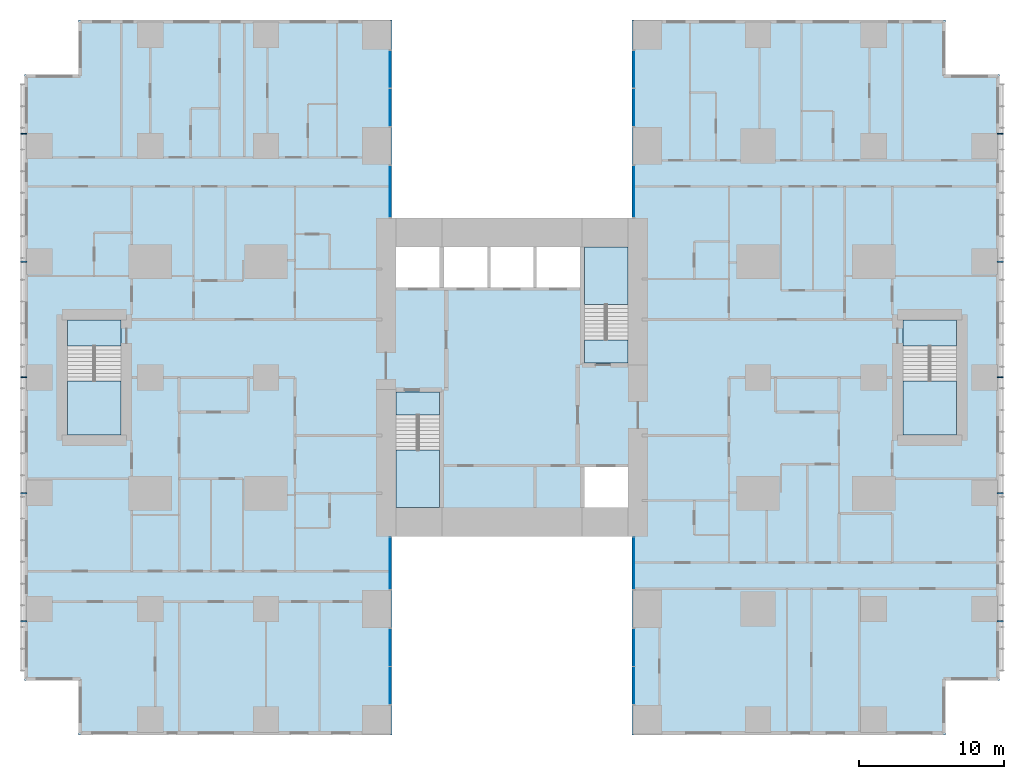
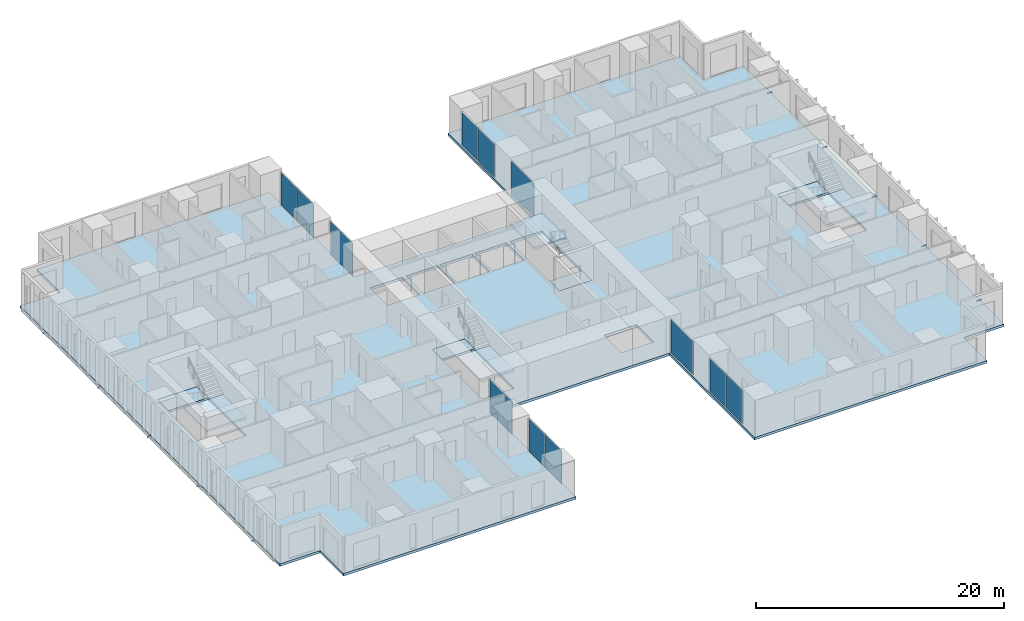
# One storey, part 7 of 20: 12 plates, 10 members, 9 slabs, 12 elements without a shape of their own.
"""IFC4 building model written with IfcOpenShell, lengths in metres."""

from ifc_helpers import new_model, si_unit, direction, frame, origin, origin_2d, place, context, subcontext, project, spatial, polyline, rectangle, hollow_rectangle, outline, extrude, material, layer, layer_set, material_profile, profile_set, type_object, element, aggregate, save


model = new_model("IFC4")

# Units and contexts
model_context = context("Model", 3, precision=1e-05, world=origin(), true_north=direction((0.0, 1.0)))
body_context = subcontext(model_context, "Body", "Model", "MODEL_VIEW")
ifc_project = project(units=[si_unit("LENGTHUNIT", "METRE"), si_unit("AREAUNIT", "SQUARE_METRE"), si_unit("VOLUMEUNIT", "CUBIC_METRE"), si_unit("PLANEANGLEUNIT", "RADIAN"), si_unit("MASSUNIT", "GRAM", prefix="KILO")], contexts=[model_context])

# Site, building, storey
site_placement = place(None, origin())
site = spatial("IfcSite", under=ifc_project, at=site_placement, CompositionType="ELEMENT")
building_placement = place(site_placement, origin())
building = spatial("IfcBuilding", under=site, at=building_placement, Name="Cleftline Residences", CompositionType="ELEMENT")
storey_placement = place(building_placement, frame((0.0, 0.0, 203.800048828125)))
storey = spatial("IfcBuildingStorey", under=building, at=storey_placement, Name="L53", CompositionType="ELEMENT", Elevation=203.800048828125)

# Members
ifc_material_1 = material(Name="Steel S355, hot-dip galvanised", Category="steel")
ifc_material_profile = material_profile(ifc_material_1, hollow_rectangle(XDim=0.10009765625, YDim=0.10009765625, WallThickness=0.008056640625, InnerFilletRadius=0.008056640625, OuterFilletRadius=0.011962890625, at=origin_2d()))
ifc_profile_set = profile_set([ifc_material_profile], Name="Steel S355, hot-dip galvanised")
member_type = type_object("IfcMemberType", Name="BAGUETTE BRACKET SHS 100X100X8", PredefinedType="USERDEFINED", material=ifc_profile_set)
for number, where, z_axis, x_axis, name in (
    (1, (66.5, 7.14990234375, -0.150146484375), (1.0, 0.0, 0.0), (0.0, 1.0, 0.0), "Baguette bracket"),
    (2, (66.5, 16.0, -0.150146484375), (1.0, 0.0, 0.0), (0.0, 1.0, 0.0), "Baguette bracket"),
    (3, (66.5, 24.0, -0.150146484375), (1.0, 0.0, 0.0), (0.0, 1.0, 0.0), "Baguette bracket"),
    (4, (66.5, 32.0, -0.150146484375), (1.0, 0.0, 0.0), (0.0, 1.0, 0.0), "Baguette bracket"),
    (5, (66.5, 40.85009765625, -0.150146484375), (1.0, 0.0, 0.0), (0.0, 1.0, 0.0), "Baguette bracket"),
    (6, (-0.5, 40.85009765625, -0.150146484375), (-1.0, 0.0, 0.0), (0.0, -1.0, 0.0), "Baguette bracket"),
    (7, (-0.5, 32.0, -0.150146484375), (-1.0, 0.0, 0.0), (0.0, -1.0, 0.0), "Baguette bracket"),
    (8, (-0.5, 24.0, -0.150146484375), (-1.0, 0.0, 0.0), (0.0, -1.0, 0.0), "Baguette bracket"),
    (9, (-0.5, 16.0, -0.150146484375), (-1.0, 0.0, 0.0), (0.0, -1.0, 0.0), "Baguette bracket"),
    (10, (-0.5, 7.14990234375, -0.150146484375), (-1.0, 0.0, 0.0), (0.0, -1.0, 0.0), "Baguette bracket"),
):
    element("IfcMember", number, at=place(storey_placement, frame(where, z_axis=z_axis, x_axis=x_axis)), inside=storey, type_object=member_type, Name=name, ObjectType="BAGUETTE BRACKET", PredefinedType="USERDEFINED", context=body_context, shape_type="SweptSolid", body=[
        extrude(hollow_rectangle(XDim=0.10009765625, YDim=0.10009765625, WallThickness=0.008056640625, InnerFilletRadius=0.008056640625, OuterFilletRadius=0.011962890625, at=origin_2d()), origin(), (0.0, 0.0, 1.0), 0.449951171875),
    ])

# Curtain wall, plates
ifc_material_2 = material(Name="Aluminium framed curtain wall", Category="aluminium")
ifc_layer_1 = layer(ifc_material_2, 0.199951171875)
ifc_layer_set_1 = layer_set([ifc_layer_1], Name="CW1 CLEFT GLAZING")
curtain_wall_type = type_object("IfcCurtainWallType", Name="CW1 CLEFT GLAZING", PredefinedType="NOTDEFINED", material=ifc_layer_set_1)
curtain_wall_1_placement = place(storey_placement, origin())
curtain_wall_1 = element("IfcCurtainWall", 11, at=curtain_wall_1_placement, inside=storey, type_object=curtain_wall_type, Name="Curtain wall CW1", PredefinedType="NOTDEFINED")
ifc_material_3 = material(Name="Laminated clear glass", Category="glass")
ifc_layer_2 = layer(ifc_material_3, 0.028076171875)
ifc_layer_set_2 = layer_set([ifc_layer_2], Name="CW1 GLASS PANEL")
plate_type = type_object("IfcPlateType", Name="CW1 GLASS PANEL", PredefinedType="CURTAIN_PANEL", material=ifc_layer_set_2)
plate_1_placement = place(storey_placement, frame((24.574951171875, 2.702392578125, 0.06005859375), z_axis=(0.0, 0.0, 1.0), x_axis=(0.0, 1.0, 0.0)))
plate_1 = element("IfcPlate", 12, at=plate_1_placement, type_object=plate_type, Name="CW1 panel 1.1", PredefinedType="CURTAIN_PANEL", context=body_context, shape_type="SweptSolid", body=[
    extrude(rectangle(XDim=2.5849609375, YDim=0.028076171875, at=origin_2d()), origin(), (0.0, 0.0, 1.0), 3.22998046875),
])
plate_2_placement = place(storey_placement, frame((24.574951171875, 5.347412109375, 0.06005859375), z_axis=(0.0, 0.0, 1.0), x_axis=(0.0, 1.0, 0.0)))
plate_2 = element("IfcPlate", 13, at=plate_2_placement, type_object=plate_type, Name="CW1 panel 2.1", PredefinedType="CURTAIN_PANEL", context=body_context, shape_type="SweptSolid", body=[
    extrude(rectangle(XDim=2.5849609375, YDim=0.028076171875, at=origin_2d()), origin(), (0.0, 0.0, 1.0), 3.22998046875),
])
aggregate(curtain_wall_1, [plate_1, plate_2])

# Curtain wall, plate
curtain_wall_2_placement = place(storey_placement, origin())
curtain_wall_2 = element("IfcCurtainWall", 14, at=curtain_wall_2_placement, inside=storey, type_object=curtain_wall_type, Name="Curtain wall CW1", PredefinedType="NOTDEFINED")
plate_3_placement = place(storey_placement, frame((24.574951171875, 11.14990234375, 0.06005859375), z_axis=(0.0, 0.0, 1.0), x_axis=(0.0, 1.0, 0.0)))
plate_3 = element("IfcPlate", 15, at=plate_3_placement, type_object=plate_type, Name="CW1 panel 1.1", PredefinedType="CURTAIN_PANEL", context=body_context, shape_type="SweptSolid", body=[
    extrude(rectangle(XDim=3.580078125, YDim=0.028076171875, at=origin_2d()), origin(), (0.0, 0.0, 1.0), 3.22998046875),
])
aggregate(curtain_wall_2, [plate_3])

curtain_wall_3_placement = place(storey_placement, origin())
curtain_wall_3 = element("IfcCurtainWall", 16, at=curtain_wall_3_placement, inside=storey, type_object=curtain_wall_type, Name="Curtain wall CW1", PredefinedType="NOTDEFINED")
plate_4_placement = place(storey_placement, frame((41.425048828125, 11.14990234375, 0.06005859375), z_axis=(0.0, 0.0, 1.0), x_axis=(0.0, -1.0, 0.0)))
plate_4 = element("IfcPlate", 17, at=plate_4_placement, type_object=plate_type, Name="CW1 panel 1.1", PredefinedType="CURTAIN_PANEL", context=body_context, shape_type="SweptSolid", body=[
    extrude(rectangle(XDim=3.580078125, YDim=0.028076171875, at=origin_2d()), origin(), (0.0, 0.0, 1.0), 3.22998046875),
])
aggregate(curtain_wall_3, [plate_4])

# Curtain wall, plates
curtain_wall_4_placement = place(storey_placement, origin())
curtain_wall_4 = element("IfcCurtainWall", 18, at=curtain_wall_4_placement, inside=storey, type_object=curtain_wall_type, Name="Curtain wall CW1", PredefinedType="NOTDEFINED")
plate_5_placement = place(storey_placement, frame((41.425048828125, 5.347412109375, 0.06005859375), z_axis=(0.0, 0.0, 1.0), x_axis=(0.0, -1.0, 0.0)))
plate_5 = element("IfcPlate", 19, at=plate_5_placement, type_object=plate_type, Name="CW1 panel 1.1", PredefinedType="CURTAIN_PANEL", context=body_context, shape_type="SweptSolid", body=[
    extrude(rectangle(XDim=2.5849609375, YDim=0.028076171875, at=origin_2d()), origin(), (0.0, 0.0, 1.0), 3.22998046875),
])
plate_6_placement = place(storey_placement, frame((41.425048828125, 2.702392578125, 0.06005859375), z_axis=(0.0, 0.0, 1.0), x_axis=(0.0, -1.0, 0.0)))
plate_6 = element("IfcPlate", 20, at=plate_6_placement, type_object=plate_type, Name="CW1 panel 2.1", PredefinedType="CURTAIN_PANEL", context=body_context, shape_type="SweptSolid", body=[
    extrude(rectangle(XDim=2.5849609375, YDim=0.028076171875, at=origin_2d()), origin(), (0.0, 0.0, 1.0), 3.22998046875),
])
aggregate(curtain_wall_4, [plate_5, plate_6])

curtain_wall_5_placement = place(storey_placement, origin())
curtain_wall_5 = element("IfcCurtainWall", 21, at=curtain_wall_5_placement, inside=storey, type_object=curtain_wall_type, Name="Curtain wall CW1", PredefinedType="NOTDEFINED")
plate_7_placement = place(storey_placement, frame((41.425048828125, 45.297607421875, 0.06005859375), z_axis=(0.0, 0.0, 1.0), x_axis=(0.0, -1.0, 0.0)))
plate_7 = element("IfcPlate", 22, at=plate_7_placement, type_object=plate_type, Name="CW1 panel 1.1", PredefinedType="CURTAIN_PANEL", context=body_context, shape_type="SweptSolid", body=[
    extrude(rectangle(XDim=2.5849609375, YDim=0.028076171875, at=origin_2d()), origin(), (0.0, 0.0, 1.0), 3.22998046875),
])
plate_8_placement = place(storey_placement, frame((41.425048828125, 42.652587890625, 0.06005859375), z_axis=(0.0, 0.0, 1.0), x_axis=(0.0, -1.0, 0.0)))
plate_8 = element("IfcPlate", 23, at=plate_8_placement, type_object=plate_type, Name="CW1 panel 2.1", PredefinedType="CURTAIN_PANEL", context=body_context, shape_type="SweptSolid", body=[
    extrude(rectangle(XDim=2.5849609375, YDim=0.028076171875, at=origin_2d()), origin(), (0.0, 0.0, 1.0), 3.22998046875),
])
aggregate(curtain_wall_5, [plate_7, plate_8])

# Curtain wall, plate
curtain_wall_6_placement = place(storey_placement, origin())
curtain_wall_6 = element("IfcCurtainWall", 24, at=curtain_wall_6_placement, inside=storey, type_object=curtain_wall_type, Name="Curtain wall CW1", PredefinedType="NOTDEFINED")
plate_9_placement = place(storey_placement, frame((41.425048828125, 36.85009765625, 0.06005859375), z_axis=(0.0, 0.0, 1.0), x_axis=(0.0, -1.0, 0.0)))
plate_9 = element("IfcPlate", 25, at=plate_9_placement, type_object=plate_type, Name="CW1 panel 1.1", PredefinedType="CURTAIN_PANEL", context=body_context, shape_type="SweptSolid", body=[
    extrude(rectangle(XDim=3.580078125, YDim=0.028076171875, at=origin_2d()), origin(), (0.0, 0.0, 1.0), 3.22998046875),
])
aggregate(curtain_wall_6, [plate_9])

curtain_wall_7_placement = place(storey_placement, origin())
curtain_wall_7 = element("IfcCurtainWall", 26, at=curtain_wall_7_placement, inside=storey, type_object=curtain_wall_type, Name="Curtain wall CW1", PredefinedType="NOTDEFINED")
plate_10_placement = place(storey_placement, frame((24.574951171875, 36.85009765625, 0.06005859375), z_axis=(0.0, 0.0, 1.0), x_axis=(0.0, 1.0, 0.0)))
plate_10 = element("IfcPlate", 27, at=plate_10_placement, type_object=plate_type, Name="CW1 panel 1.1", PredefinedType="CURTAIN_PANEL", context=body_context, shape_type="SweptSolid", body=[
    extrude(rectangle(XDim=3.580078125, YDim=0.028076171875, at=origin_2d()), origin(), (0.0, 0.0, 1.0), 3.22998046875),
])
aggregate(curtain_wall_7, [plate_10])

# Curtain wall, plates
curtain_wall_8_placement = place(storey_placement, origin())
curtain_wall_8 = element("IfcCurtainWall", 28, at=curtain_wall_8_placement, inside=storey, type_object=curtain_wall_type, Name="Curtain wall CW1", PredefinedType="NOTDEFINED")
plate_11_placement = place(storey_placement, frame((24.574951171875, 42.652587890625, 0.06005859375), z_axis=(0.0, 0.0, 1.0), x_axis=(0.0, 1.0, 0.0)))
plate_11 = element("IfcPlate", 29, at=plate_11_placement, type_object=plate_type, Name="CW1 panel 1.1", PredefinedType="CURTAIN_PANEL", context=body_context, shape_type="SweptSolid", body=[
    extrude(rectangle(XDim=2.5849609375, YDim=0.028076171875, at=origin_2d()), origin(), (0.0, 0.0, 1.0), 3.22998046875),
])
plate_12_placement = place(storey_placement, frame((24.574951171875, 45.297607421875, 0.06005859375), z_axis=(0.0, 0.0, 1.0), x_axis=(0.0, 1.0, 0.0)))
plate_12 = element("IfcPlate", 30, at=plate_12_placement, type_object=plate_type, Name="CW1 panel 2.1", PredefinedType="CURTAIN_PANEL", context=body_context, shape_type="SweptSolid", body=[
    extrude(rectangle(XDim=2.5849609375, YDim=0.028076171875, at=origin_2d()), origin(), (0.0, 0.0, 1.0), 3.22998046875),
])
aggregate(curtain_wall_8, [plate_11, plate_12])

# Slab
ifc_material_4 = material(Name="Concrete B45", Category="concrete")
ifc_layer_3 = layer(ifc_material_4, 0.25)
ifc_layer_set_3 = layer_set([ifc_layer_3], Name="FLOOR SLAB 250")
slab_type_1 = type_object("IfcSlabType", Name="FLOOR SLAB 250", PredefinedType="FLOOR", material=ifc_layer_set_3)
slab_1_placement = place(storey_placement, frame((0.0, 0.0, -0.25)))
element("IfcSlab", 31, at=slab_1_placement, inside=storey, type_object=slab_type_1, Name="Floor slab L53", PredefinedType="FLOOR", context=body_context, shape_type="SweptSolid", body=[
    extrude(outline(polyline([(24.699951171875, 13.0), (41.300048828125, 13.0), (41.300048828125, -0.699951171875), (62.949951171875, -0.699951171875), (62.949951171875, 3.050048828125), (66.699951171875, 3.050048828125), (66.699951171875, 44.949951171875), (62.949951171875, 44.949951171875), (62.949951171875, 48.699951171875), (41.300048828125, 48.699951171875), (41.300048828125, 35.0), (24.699951171875, 35.0), (24.699951171875, 48.699951171875), (3.050048828125, 48.699951171875), (3.050048828125, 44.949951171875), (-0.699951171875, 44.949951171875), (-0.699951171875, 3.050048828125), (3.050048828125, 3.050048828125), (3.050048828125, -0.699951171875), (24.699951171875, -0.699951171875), (24.699951171875, 13.0)]), holes=[polyline([(28.0, 15.0), (28.0, 23.0), (25.0, 23.0), (25.0, 15.0), (28.0, 15.0)]), polyline([(41.0, 25.0), (41.0, 33.0), (38.0, 33.0), (38.0, 25.0), (41.0, 25.0)]), polyline([(28.0, 30.199951171875), (28.0, 33.0), (25.0, 33.0), (25.0, 30.199951171875), (28.0, 30.199951171875)]), polyline([(41.0, 15.0), (41.0, 17.800048828125), (38.0, 17.800048828125), (38.0, 15.0), (41.0, 15.0)]), polyline([(31.300048828125, 30.199951171875), (31.300048828125, 33.0), (28.300048828125, 33.0), (28.300048828125, 30.199951171875), (31.300048828125, 30.199951171875)]), polyline([(34.5, 30.199951171875), (34.5, 33.0), (31.5, 33.0), (31.5, 30.199951171875), (34.5, 30.199951171875)]), polyline([(37.699951171875, 30.199951171875), (37.699951171875, 33.0), (34.699951171875, 33.0), (34.699951171875, 30.199951171875), (37.699951171875, 30.199951171875)]), polyline([(63.72509765625, 20.02490234375), (63.72509765625, 27.97509765625), (60.02490234375, 27.97509765625), (60.02490234375, 20.02490234375), (63.72509765625, 20.02490234375)]), polyline([(5.97509765625, 20.02490234375), (5.97509765625, 27.97509765625), (2.27490234375, 27.97509765625), (2.27490234375, 20.02490234375), (5.97509765625, 20.02490234375)])]), origin(), (0.0, 0.0, 1.0), 0.25),
])

# Stair, slabs
ifc_material_5 = material(Name="Concrete B45, stone treads", Category="masonry")
stair_type_1 = type_object("IfcStairType", Name="STAIR A 1450 WIDE 180 RISER", PredefinedType="HALF_TURN_STAIR", material=ifc_material_5)
stair_1_placement = place(storey_placement, origin())
stair_1 = element("IfcStair", 32, at=stair_1_placement, inside=storey, type_object=stair_type_1, Name="Stair A L53", PredefinedType="HALF_TURN_STAIR")
ifc_material_6 = material(Name="Concrete B45", Category="concrete")
ifc_layer_4 = layer(ifc_material_6, 0.199951171875)
ifc_layer_set_4 = layer_set([ifc_layer_4], Name="STAIR LANDING 200")
slab_type_2 = type_object("IfcSlabType", Name="STAIR LANDING 200", PredefinedType="LANDING", material=ifc_layer_set_4)
slab_2_placement = place(storey_placement, frame((0.0, 0.0, -0.199951171875)))
slab_2 = element("IfcSlab", 33, at=slab_2_placement, type_object=slab_type_2, Name="ST-A landing 1", PredefinedType="LANDING", context=body_context, shape_type="SweptSolid", body=[
    extrude(outline(polyline([(25.0, 21.39990234375), (28.0, 21.39990234375), (28.0, 23.0), (25.0, 23.0), (25.0, 21.39990234375)])), origin(), (0.0, 0.0, 1.0), 0.199951171875),
])
slab_3_placement = place(storey_placement, frame((0.0, 0.0, 1.599853515625)))
slab_3 = element("IfcSlab", 34, at=slab_3_placement, type_object=slab_type_2, Name="ST-A landing 2", PredefinedType="LANDING", context=body_context, shape_type="SweptSolid", body=[
    extrude(outline(polyline([(25.0, 15.0), (28.0, 15.0), (28.0, 18.969970703125), (25.0, 18.969970703125), (25.0, 15.0)])), origin(), (0.0, 0.0, 1.0), 0.2001953125),
])
aggregate(stair_1, [slab_2, slab_3])

ifc_material_7 = material(Name="Concrete B45, stone treads", Category="masonry")
stair_type_2 = type_object("IfcStairType", Name="STAIR B 1450 WIDE 180 RISER", PredefinedType="HALF_TURN_STAIR", material=ifc_material_7)
stair_2_placement = place(storey_placement, origin())
stair_2 = element("IfcStair", 35, at=stair_2_placement, inside=storey, type_object=stair_type_2, Name="Stair B L53", PredefinedType="HALF_TURN_STAIR")
slab_4_placement = place(storey_placement, frame((0.0, 0.0, -0.199951171875)))
slab_4 = element("IfcSlab", 36, at=slab_4_placement, type_object=slab_type_2, Name="ST-B landing 1", PredefinedType="LANDING", context=body_context, shape_type="SweptSolid", body=[
    extrude(outline(polyline([(38.0, 25.0), (41.0, 25.0), (41.0, 26.60009765625), (38.0, 26.60009765625), (38.0, 25.0)])), origin(), (0.0, 0.0, 1.0), 0.199951171875),
])
slab_5_placement = place(storey_placement, frame((0.0, 0.0, 1.599853515625)))
slab_5 = element("IfcSlab", 37, at=slab_5_placement, type_object=slab_type_2, Name="ST-B landing 2", PredefinedType="LANDING", context=body_context, shape_type="SweptSolid", body=[
    extrude(outline(polyline([(38.0, 29.030029296875), (41.0, 29.030029296875), (41.0, 33.0), (38.0, 33.0), (38.0, 29.030029296875)])), origin(), (0.0, 0.0, 1.0), 0.2001953125),
])
aggregate(stair_2, [slab_4, slab_5])

ifc_material_8 = material(Name="Concrete B45, stone treads", Category="masonry")
stair_type_3 = type_object("IfcStairType", Name="STAIR E 1800 WIDE 180 RISER", PredefinedType="HALF_TURN_STAIR", material=ifc_material_8)
stair_3_placement = place(storey_placement, origin())
stair_3 = element("IfcStair", 38, at=stair_3_placement, inside=storey, type_object=stair_type_3, Name="Stair E L53", PredefinedType="HALF_TURN_STAIR")
slab_6_placement = place(storey_placement, frame((0.0, 0.0, -0.199951171875)))
slab_6 = element("IfcSlab", 39, at=slab_6_placement, type_object=slab_type_2, Name="ST-E landing 1", PredefinedType="LANDING", context=body_context, shape_type="SweptSolid", body=[
    extrude(outline(polyline([(60.02490234375, 26.175048828125), (63.72509765625, 26.175048828125), (63.72509765625, 27.97509765625), (60.02490234375, 27.97509765625), (60.02490234375, 26.175048828125)])), origin(), (0.0, 0.0, 1.0), 0.199951171875),
])
slab_7_placement = place(storey_placement, frame((0.0, 0.0, 1.599853515625)))
slab_7 = element("IfcSlab", 40, at=slab_7_placement, type_object=slab_type_2, Name="ST-E landing 2", PredefinedType="LANDING", context=body_context, shape_type="SweptSolid", body=[
    extrude(outline(polyline([(60.02490234375, 20.02490234375), (63.72509765625, 20.02490234375), (63.72509765625, 23.7451171875), (60.02490234375, 23.7451171875), (60.02490234375, 20.02490234375)])), origin(), (0.0, 0.0, 1.0), 0.2001953125),
])
aggregate(stair_3, [slab_6, slab_7])

ifc_material_9 = material(Name="Concrete B45, stone treads", Category="masonry")
stair_type_4 = type_object("IfcStairType", Name="STAIR W 1800 WIDE 180 RISER", PredefinedType="HALF_TURN_STAIR", material=ifc_material_9)
stair_4_placement = place(storey_placement, origin())
stair_4 = element("IfcStair", 41, at=stair_4_placement, inside=storey, type_object=stair_type_4, Name="Stair W L53", PredefinedType="HALF_TURN_STAIR")
slab_8_placement = place(storey_placement, frame((0.0, 0.0, -0.199951171875)))
slab_8 = element("IfcSlab", 42, at=slab_8_placement, type_object=slab_type_2, Name="ST-W landing 1", PredefinedType="LANDING", context=body_context, shape_type="SweptSolid", body=[
    extrude(outline(polyline([(2.27490234375, 26.175048828125), (5.97509765625, 26.175048828125), (5.97509765625, 27.97509765625), (2.27490234375, 27.97509765625), (2.27490234375, 26.175048828125)])), origin(), (0.0, 0.0, 1.0), 0.199951171875),
])
slab_9_placement = place(storey_placement, frame((0.0, 0.0, 1.599853515625)))
slab_9 = element("IfcSlab", 43, at=slab_9_placement, type_object=slab_type_2, Name="ST-W landing 2", PredefinedType="LANDING", context=body_context, shape_type="SweptSolid", body=[
    extrude(outline(polyline([(2.27490234375, 20.02490234375), (5.97509765625, 20.02490234375), (5.97509765625, 23.7451171875), (2.27490234375, 23.7451171875), (2.27490234375, 20.02490234375)])), origin(), (0.0, 0.0, 1.0), 0.2001953125),
])
aggregate(stair_4, [slab_8, slab_9])

save(model, "model.ifc")
